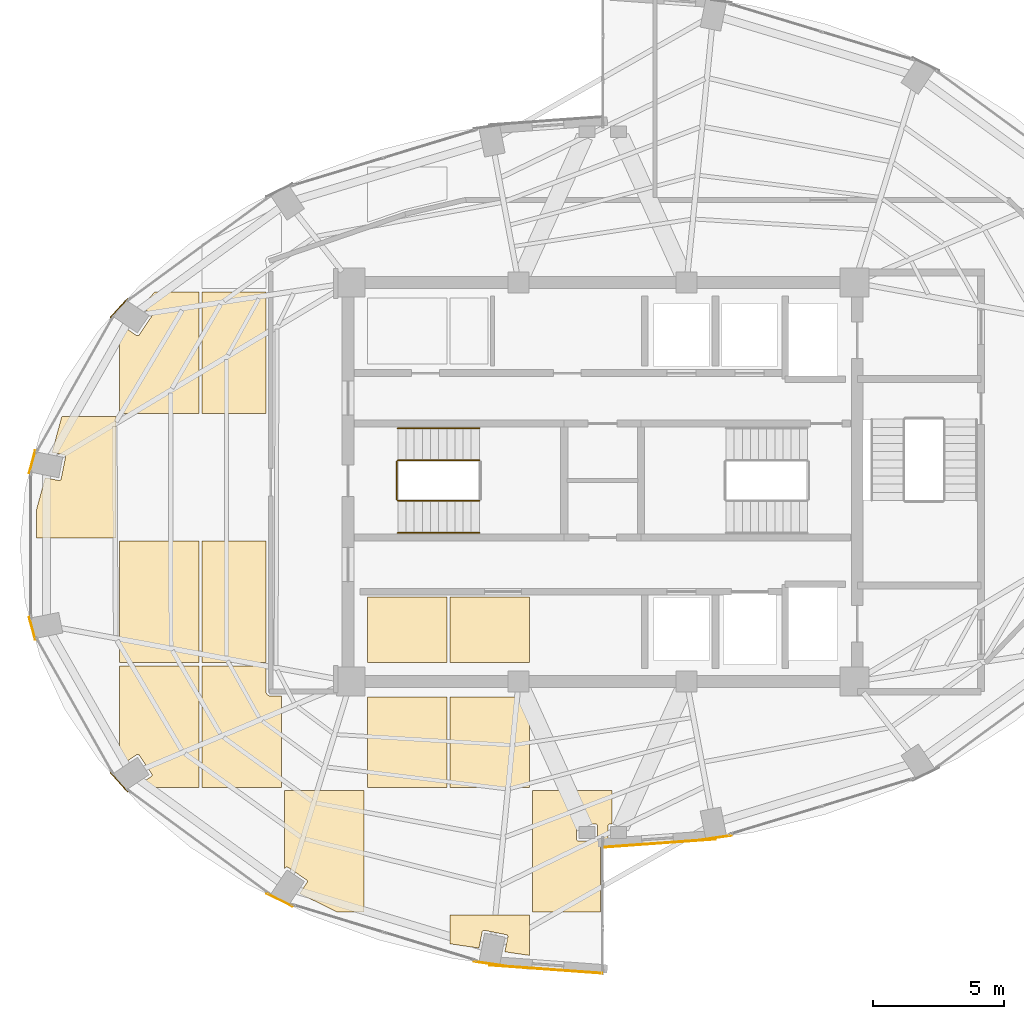
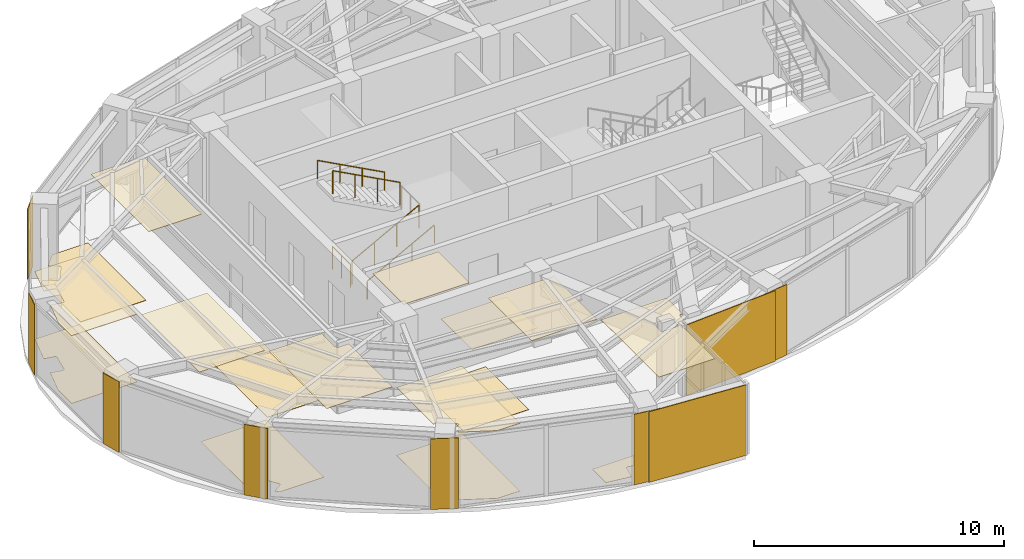
# One storey, part 21 of 22: 25 coverings, 5 railings.
"""IFC4 building model written with IfcOpenShell, lengths in metres."""

from ifc_helpers import new_model, si_unit, direction, frame, origin, origin_2d, place, context, subcontext, project, spatial, polyline, rectangle, circle, outline, extrude, material, layer, layer_set, type_object, element, save


model = new_model("IFC4")

# Units and contexts
model_context = context("Model", 3, precision=1e-05, world=origin(), true_north=direction((0.0, 1.0)))
body_context = subcontext(model_context, "Body", "Model", "MODEL_VIEW")
ifc_project = project(units=[si_unit("LENGTHUNIT", "METRE"), si_unit("AREAUNIT", "SQUARE_METRE"), si_unit("VOLUMEUNIT", "CUBIC_METRE"), si_unit("PLANEANGLEUNIT", "RADIAN"), si_unit("MASSUNIT", "GRAM", prefix="KILO")], contexts=[model_context])

# Site, building, storey
site_placement = place(None, origin())
site = spatial("IfcSite", under=ifc_project, at=site_placement, CompositionType="ELEMENT")
building_placement = place(site_placement, origin())
building = spatial("IfcBuilding", under=site, at=building_placement, Name="Lazwardi Medical Tower", CompositionType="ELEMENT")
storey_placement = place(building_placement, frame((0.0, 0.0, 251.3759765625)))
storey = spatial("IfcBuildingStorey", under=building, at=storey_placement, Name="L65", CompositionType="ELEMENT", Elevation=251.3759765625)

# Coverings
ifc_material_1 = material(Name="Anodised bronze aluminium cassette cladding", Category="aluminium")
ifc_layer_1 = layer(ifc_material_1, 0.030029296875)
ifc_layer_set_1 = layer_set([ifc_layer_1], Name="Anodised bronze aluminium cassette cladding")
covering_type_1 = type_object("IfcCoveringType", Name="COV-CLD-BRZ", PredefinedType="CLADDING", material=ifc_layer_set_1)
covering_1_placement = place(storey_placement, frame((40.3232421875, 14.450439453125, 0.0), z_axis=(0.0, 0.0, 1.0), x_axis=(0.989512431533, 0.144447733943, 0.0)))
element("IfcCovering", 1, at=covering_1_placement, inside=storey, type_object=covering_type_1, Name="L65 Mega-column bronze cassette cover M01", PredefinedType="CLADDING", context=body_context, shape_type="SweptSolid", body=[
    extrude(rectangle(XDim=1.188720703125, YDim=0.030029296875, at=origin_2d()), origin(), (0.0, 0.0, 1.0), 3.447998046875),
])
covering_2_placement = place(storey_placement, frame((17.57470703125, 34.634765625, 0.0), z_axis=(0.0, 0.0, 1.0), x_axis=(-0.673240970654, -0.739423150458, 0.0)))
element("IfcCovering", 2, at=covering_2_placement, inside=storey, type_object=covering_type_1, Name="L65 Mega-column bronze cassette cover M11", PredefinedType="CLADDING", context=body_context, shape_type="SweptSolid", body=[
    extrude(rectangle(XDim=0.98974609375, YDim=0.030029296875, at=origin_2d()), origin(), (0.0, 0.0, 1.0), 3.447998046875),
])
for number, where, z_axis, x_axis, name in (
    (3, (14.265869140625, 28.772705078125, 0.0), (0.0, 0.0, 1.0), (-0.261641748247, -0.96516506131, 0.0), "L65 Mega-column bronze cassette cover M12"),
    (4, (14.265869140625, 22.427490234375, 0.0), (0.0, 0.0, 1.0), (0.261641748247, -0.96516506131, 0.0), "L65 Mega-column bronze cassette cover M13"),
):
    element("IfcCovering", number, at=place(storey_placement, frame(where, z_axis=z_axis, x_axis=x_axis)), inside=storey, type_object=covering_type_1, Name=name, PredefinedType="CLADDING", context=body_context, shape_type="SweptSolid", body=[
        extrude(rectangle(XDim=0.894287109375, YDim=0.030029296875, at=origin_2d()), origin(), (0.0, 0.0, 1.0), 3.447998046875),
    ])
covering_3_placement = place(storey_placement, frame((17.57470703125, 16.565185546875, 0.0), z_axis=(0.0, 0.0, 1.0), x_axis=(0.673240970654, -0.739423150458, 0.0)))
element("IfcCovering", 5, at=covering_3_placement, inside=storey, type_object=covering_type_1, Name="L65 Mega-column bronze cassette cover M14", PredefinedType="CLADDING", context=body_context, shape_type="SweptSolid", body=[
    extrude(rectangle(XDim=0.98974609375, YDim=0.030029296875, at=origin_2d()), origin(), (0.0, 0.0, 1.0), 3.447998046875),
])
covering_4_placement = place(storey_placement, frame((23.688720703125, 12.07861328125, 0.0), z_axis=(0.0, 0.0, 1.0), x_axis=(0.897840141691, -0.440321564278, 0.0)))
element("IfcCovering", 6, at=covering_4_placement, inside=storey, type_object=covering_type_1, Name="L65 Mega-column bronze cassette cover M15", PredefinedType="CLADDING", context=body_context, shape_type="SweptSolid", body=[
    extrude(rectangle(XDim=1.110595703125, YDim=0.030029296875, at=origin_2d()), origin(), (0.0, 0.0, 1.0), 3.447998046875),
])
covering_5_placement = place(storey_placement, frame((31.6767578125, 9.650390625, 0.0), z_axis=(0.0, 0.0, 1.0), x_axis=(0.989512431533, -0.144447733943, 0.0)))
element("IfcCovering", 7, at=covering_5_placement, inside=storey, type_object=covering_type_1, Name="L65 Mega-column bronze cassette cover M16", PredefinedType="CLADDING", context=body_context, shape_type="SweptSolid", body=[
    extrude(rectangle(XDim=1.188720703125, YDim=0.030029296875, at=origin_2d()), origin(), (0.0, 0.0, 1.0), 3.447998046875),
])
ifc_material_2 = material(Name="Turquoise glazed ceramic tilework cladding", Category="masonry")
ifc_layer_2 = layer(ifc_material_2, 0.034912109375)
ifc_layer_set_2 = layer_set([ifc_layer_2], Name="Turquoise glazed ceramic tilework cladding")
covering_type_2 = type_object("IfcCoveringType", Name="COV-CLD-TRQ", PredefinedType="CLADDING", material=ifc_layer_set_2)
covering_6_placement = place(storey_placement, frame((38.16259765625, 14.239990234375, 0.0), z_axis=(0.0, 0.0, 1.0), x_axis=(0.997409491337, 0.071932653157, 0.0)))
element("IfcCovering", 8, at=covering_6_placement, inside=storey, type_object=covering_type_2, Name="L65 Turquoise glazed ceramic tilework cladding", PredefinedType="CLADDING", context=body_context, shape_type="SweptSolid", body=[
    extrude(rectangle(XDim=4.31103515625, YDim=0.034912109375, at=origin_2d()), origin(), (0.0, 0.0, 1.0), 3.447998046875),
])
covering_7_placement = place(storey_placement, frame((33.83740234375, 9.43994140625, 0.0), z_axis=(0.0, 0.0, 1.0), x_axis=(0.997408989128, -0.071939616387, 0.0)))
element("IfcCovering", 9, at=covering_7_placement, inside=storey, type_object=covering_type_2, Name="L65 Turquoise glazed ceramic tilework cladding", PredefinedType="CLADDING", context=body_context, shape_type="SweptSolid", body=[
    extrude(rectangle(XDim=4.310546875, YDim=0.034912109375, at=origin_2d()), origin(), (0.0, 0.0, 1.0), 3.447998046875),
])
ifc_material_3 = material(Name="Acoustic mineral fibre tile")
ifc_layer_3 = layer(ifc_material_3, 0.02490234375)
ifc_layer_set_3 = layer_set([ifc_layer_3], Name="Acoustic mineral fibre tile")
covering_type_3 = type_object("IfcCoveringType", Name="COV-CLG-01", PredefinedType="CEILING", material=ifc_layer_set_3)
covering_8_placement = place(storey_placement, frame((0.0, 0.0, 3.302978515625)))
element("IfcCovering", 10, at=covering_8_placement, inside=storey, type_object=covering_type_3, Name="L65 Clinical Acoustic Ceiling 1", PredefinedType="CEILING", context=body_context, shape_type="SweptSolid", body=[
    extrude(outline(polyline([(15.39501953125, 30.50244140625), (15.0224609375, 29.13134765625), (15.4716796875, 29.0419921875), (15.479248046875, 29.040283203125), (15.486572265625, 29.03759765625), (15.49365234375, 29.0341796875), (15.50048828125, 29.030029296875), (15.5068359375, 29.025390625), (15.5126953125, 29.020263671875), (15.517822265625, 29.014404296875), (15.5224609375, 29.008056640625), (15.526611328125, 29.001220703125), (15.52978515625, 28.994140625), (15.53271484375, 28.98681640625), (15.534423828125, 28.979248046875), (15.53564453125, 28.971435546875), (15.535888671875, 28.963623046875), (15.53564453125, 28.955810546875), (15.534423828125, 28.947998046875), (15.37060546875, 28.124267578125), (15.36865234375, 28.11669921875), (15.365966796875, 28.109130859375), (15.36279296875, 28.10205078125), (15.358642578125, 28.095458984375), (15.35400390625, 28.089111328125), (15.3486328125, 28.083251953125), (15.343017578125, 28.077880859375), (15.33642578125, 28.0732421875), (15.329833984375, 28.069091796875), (15.32275390625, 28.06591796875), (15.315185546875, 28.063232421875), (15.3076171875, 28.061279296875), (15.2998046875, 28.060302734375), (15.2919921875, 28.059814453125), (15.2841796875, 28.060302734375), (15.276611328125, 28.061279296875), (14.759521484375, 28.1640625), (14.432861328125, 26.961669921875), (14.432861328125, 25.87255859375), (17.462890625, 25.87255859375), (17.462890625, 30.50244140625), (15.39501953125, 30.50244140625)])), origin(), (0.0, 0.0, 1.0), 0.025146484375),
])
covering_9_placement = place(storey_placement, frame((0.0, 0.0, 3.302978515625)))
element("IfcCovering", 11, at=covering_9_placement, inside=storey, type_object=covering_type_3, Name="L65 Clinical Acoustic Ceiling 2", PredefinedType="CEILING", context=body_context, shape_type="SweptSolid", body=[
    extrude(outline(polyline([(20.61279296875, 21.12255859375), (20.61279296875, 25.75244140625), (17.5830078125, 25.75244140625), (17.5830078125, 21.12255859375), (20.61279296875, 21.12255859375)])), origin(), (0.0, 0.0, 1.0), 0.025146484375),
])
covering_10_placement = place(storey_placement, frame((0.0, 0.0, 3.302978515625)))
element("IfcCovering", 12, at=covering_10_placement, inside=storey, type_object=covering_type_3, Name="L65 Clinical Acoustic Ceiling 3", PredefinedType="CEILING", context=body_context, shape_type="SweptSolid", body=[
    extrude(outline(polyline([(23.762939453125, 19.844970703125), (23.35009765625, 19.844970703125), (23.345703125, 19.84521484375), (23.33642578125, 19.845703125), (23.32958984375, 19.84619140625), (23.3203125, 19.84765625), (23.31201171875, 19.84912109375), (23.302734375, 19.8515625), (23.2958984375, 19.853515625), (23.287109375, 19.856689453125), (23.279296875, 19.860107421875), (23.270751953125, 19.864013671875), (23.263916015625, 19.86767578125), (23.256103515625, 19.872314453125), (23.249267578125, 19.876953125), (23.24169921875, 19.882568359375), (23.236083984375, 19.88720703125), (23.229248046875, 19.893310546875), (23.223388671875, 19.8994140625), (23.217041015625, 19.90625), (23.21240234375, 19.911865234375), (23.206787109375, 19.919189453125), (23.202392578125, 19.926025390625), (23.197509765625, 19.93408203125), (23.194091796875, 19.94091796875), (23.18994140625, 19.94921875), (23.186767578125, 19.95703125), (23.18359375, 19.9658203125), (23.181396484375, 19.972900390625), (23.17919921875, 19.98193359375), (23.177490234375, 19.990234375), (23.17626953125, 19.99951171875), (23.175537109375, 20.00634765625), (23.175048828125, 20.015625), (23.175048828125, 20.02001953125), (23.175048828125, 21.00244140625), (20.73291015625, 21.00244140625), (20.73291015625, 16.37255859375), (23.762939453125, 16.37255859375), (23.762939453125, 19.844970703125)])), origin(), (0.0, 0.0, 1.0), 0.025146484375),
])
covering_11_placement = place(storey_placement, frame((0.0, 0.0, 3.302978515625)))
element("IfcCovering", 13, at=covering_11_placement, inside=storey, type_object=covering_type_3, Name="L65 Clinical Acoustic Ceiling 4", PredefinedType="CEILING", context=body_context, shape_type="SweptSolid", body=[
    extrude(outline(polyline([(23.175048828125, 30.62255859375), (23.175048828125, 35.25244140625), (20.73291015625, 35.25244140625), (20.73291015625, 30.62255859375), (23.175048828125, 30.62255859375)])), origin(), (0.0, 0.0, 1.0), 0.025146484375),
])
covering_12_placement = place(storey_placement, frame((0.0, 0.0, 3.302978515625)))
element("IfcCovering", 14, at=covering_12_placement, inside=storey, type_object=covering_type_3, Name="L65 Clinical Acoustic Ceiling 5", PredefinedType="CEILING", context=body_context, shape_type="SweptSolid", body=[
    extrude(outline(polyline([(23.8828125, 13.27099609375), (23.900634765625, 13.297607421875), (23.905517578125, 13.303955078125), (23.91064453125, 13.309814453125), (23.91650390625, 13.31494140625), (23.9228515625, 13.319580078125), (23.929443359375, 13.32373046875), (23.9365234375, 13.3271484375), (23.944091796875, 13.329833984375), (23.95166015625, 13.331787109375), (23.95947265625, 13.332763671875), (23.96728515625, 13.333251953125), (23.97509765625, 13.332763671875), (23.98291015625, 13.331787109375), (23.990478515625, 13.329833984375), (23.997802734375, 13.3271484375), (24.0048828125, 13.32373046875), (24.01171875, 13.319580078125), (24.7099609375, 12.85302734375), (24.71630859375, 12.848388671875), (24.72216796875, 12.843017578125), (24.727294921875, 12.83740234375), (24.732177734375, 12.830810546875), (24.736083984375, 12.82421875), (24.739501953125, 12.817138671875), (24.7421875, 12.809814453125), (24.744140625, 12.802001953125), (24.7451171875, 12.794189453125), (24.74560546875, 12.78662109375), (24.7451171875, 12.77880859375), (24.744140625, 12.77099609375), (24.7421875, 12.76318359375), (24.739501953125, 12.755859375), (24.736083984375, 12.748779296875), (24.732177734375, 12.7421875), (24.4521484375, 12.322998046875), (25.8837890625, 11.62255859375), (26.912841796875, 11.62255859375), (26.912841796875, 16.25244140625), (23.8828125, 16.25244140625), (23.8828125, 13.27099609375)])), origin(), (0.0, 0.0, 1.0), 0.025146484375),
])
covering_13_placement = place(storey_placement, frame((0.0, 0.0, 3.302978515625)))
element("IfcCovering", 15, at=covering_13_placement, inside=storey, type_object=covering_type_3, Name="L65 Clinical Acoustic Ceiling 6", PredefinedType="CEILING", context=body_context, shape_type="SweptSolid", body=[
    extrude(outline(polyline([(30.06298828125, 23.6201171875), (27.032958984375, 23.6201171875), (27.032958984375, 21.12255859375), (30.06298828125, 21.12255859375), (30.06298828125, 23.6201171875)])), origin(), (0.0, 0.0, 1.0), 0.025146484375),
])
covering_14_placement = place(storey_placement, frame((0.0, 0.0, 3.302978515625)))
element("IfcCovering", 16, at=covering_14_placement, inside=storey, type_object=covering_type_3, Name="L65 Clinical Acoustic Ceiling 8", PredefinedType="CEILING", context=body_context, shape_type="SweptSolid", body=[
    extrude(outline(polyline([(33.212890625, 19.820068359375), (30.182861328125, 19.820068359375), (30.182861328125, 16.37255859375), (33.212890625, 16.37255859375), (33.212890625, 19.820068359375)])), origin(), (0.0, 0.0, 1.0), 0.025146484375),
])
covering_15_placement = place(storey_placement, frame((0.0, 0.0, 3.302978515625)))
element("IfcCovering", 17, at=covering_15_placement, inside=storey, type_object=covering_type_3, Name="L65 Clinical Acoustic Ceiling 10", PredefinedType="CEILING", context=body_context, shape_type="SweptSolid", body=[
    extrude(outline(polyline([(35.919921875, 11.62255859375), (35.919921875, 14.280029296875), (35.92041015625, 14.28759765625), (35.92138671875, 14.295166015625), (35.923095703125, 14.302490234375), (35.92578125, 14.309814453125), (35.928955078125, 14.316650390625), (35.9326171875, 14.3232421875), (35.93701171875, 14.329345703125), (35.94189453125, 14.335205078125), (35.947509765625, 14.34033203125), (35.95361328125, 14.34521484375), (35.9599609375, 14.34912109375), (35.966796875, 14.352783203125), (35.9736328125, 14.355712890625), (35.98095703125, 14.357666015625), (35.988525390625, 14.359130859375), (36.201416015625, 14.39013671875), (36.200439453125, 14.397216796875), (36.199951171875, 14.405029296875), (36.199951171875, 14.89501953125), (36.200439453125, 14.90283203125), (36.201416015625, 14.91064453125), (36.203369140625, 14.918212890625), (36.2060546875, 14.925537109375), (36.20947265625, 14.9326171875), (36.21337890625, 14.939453125), (36.21826171875, 14.94580078125), (36.223388671875, 14.95166015625), (36.229248046875, 14.956787109375), (36.235595703125, 14.96142578125), (36.2421875, 14.965576171875), (36.24951171875, 14.968994140625), (36.2568359375, 14.9716796875), (36.264404296875, 14.973388671875), (36.272216796875, 14.974609375), (36.280029296875, 14.97509765625), (36.36279296875, 14.97509765625), (36.36279296875, 16.25244140625), (33.3330078125, 16.25244140625), (33.3330078125, 11.62255859375), (35.919921875, 11.62255859375)]), holes=[polyline([(35.735595703125, 14.326416015625), (35.727783203125, 14.325439453125), (35.719970703125, 14.324951171875), (35.080078125, 14.324951171875), (35.072265625, 14.325439453125), (35.064453125, 14.326416015625), (35.056884765625, 14.328369140625), (35.04931640625, 14.3310546875), (35.042236328125, 14.33447265625), (35.03564453125, 14.33837890625), (35.029296875, 14.34326171875), (35.0234375, 14.348388671875), (35.018310546875, 14.354248046875), (35.013427734375, 14.360595703125), (35.009521484375, 14.3671875), (35.006103515625, 14.37451171875), (35.00341796875, 14.3818359375), (35.00146484375, 14.389404296875), (35.00048828125, 14.397216796875), (35.0, 14.405029296875), (35.0, 14.89501953125), (35.00048828125, 14.90283203125), (35.00146484375, 14.91064453125), (35.00341796875, 14.918212890625), (35.006103515625, 14.925537109375), (35.009521484375, 14.9326171875), (35.013427734375, 14.939453125), (35.018310546875, 14.94580078125), (35.0234375, 14.95166015625), (35.029296875, 14.956787109375), (35.03564453125, 14.96142578125), (35.042236328125, 14.965576171875), (35.04931640625, 14.968994140625), (35.056884765625, 14.9716796875), (35.064453125, 14.973388671875), (35.072265625, 14.974609375), (35.080078125, 14.97509765625), (35.719970703125, 14.97509765625), (35.727783203125, 14.974609375), (35.735595703125, 14.973388671875), (35.7431640625, 14.9716796875), (35.75048828125, 14.968994140625), (35.7578125, 14.965576171875), (35.764404296875, 14.96142578125), (35.770751953125, 14.956787109375), (35.776611328125, 14.95166015625), (35.78173828125, 14.94580078125), (35.78662109375, 14.939453125), (35.79052734375, 14.9326171875), (35.7939453125, 14.925537109375), (35.796630859375, 14.918212890625), (35.798583984375, 14.91064453125), (35.799560546875, 14.90283203125), (35.800048828125, 14.89501953125), (35.800048828125, 14.405029296875), (35.799560546875, 14.397216796875), (35.798583984375, 14.389404296875), (35.796630859375, 14.3818359375), (35.7939453125, 14.37451171875), (35.79052734375, 14.3671875), (35.78662109375, 14.360595703125), (35.78173828125, 14.354248046875), (35.776611328125, 14.348388671875), (35.770751953125, 14.34326171875), (35.764404296875, 14.33837890625), (35.7578125, 14.33447265625), (35.75048828125, 14.3310546875), (35.7431640625, 14.328369140625), (35.735595703125, 14.326416015625)])]), origin(), (0.0, 0.0, 1.0), 0.025146484375),
])
ifc_material_4 = material(Name="Anti-static hospital vinyl sheet flooring")
ifc_layer_4 = layer(ifc_material_4, 0.014892578125)
ifc_layer_set_4 = layer_set([ifc_layer_4], Name="Anti-static hospital vinyl sheet flooring")
covering_type_4 = type_object("IfcCoveringType", Name="COV-FLR-01", PredefinedType="FLOORING", material=ifc_layer_set_4)
covering_16_placement = place(storey_placement, origin())
element("IfcCovering", 18, at=covering_16_placement, inside=storey, type_object=covering_type_4, Name="L65 Clinical Vinyl Flooring 1", PredefinedType="FLOORING", context=body_context, shape_type="SweptSolid", body=[
    extrude(outline(polyline([(15.39501953125, 30.50244140625), (15.0224609375, 29.13134765625), (15.4716796875, 29.0419921875), (15.479248046875, 29.040283203125), (15.486572265625, 29.03759765625), (15.49365234375, 29.0341796875), (15.50048828125, 29.030029296875), (15.5068359375, 29.025390625), (15.5126953125, 29.020263671875), (15.517822265625, 29.014404296875), (15.5224609375, 29.008056640625), (15.526611328125, 29.001220703125), (15.52978515625, 28.994140625), (15.53271484375, 28.98681640625), (15.534423828125, 28.979248046875), (15.53564453125, 28.971435546875), (15.535888671875, 28.963623046875), (15.53564453125, 28.955810546875), (15.534423828125, 28.947998046875), (15.37060546875, 28.124267578125), (15.36865234375, 28.11669921875), (15.365966796875, 28.109130859375), (15.36279296875, 28.10205078125), (15.358642578125, 28.095458984375), (15.35400390625, 28.089111328125), (15.3486328125, 28.083251953125), (15.343017578125, 28.077880859375), (15.33642578125, 28.0732421875), (15.329833984375, 28.069091796875), (15.32275390625, 28.06591796875), (15.315185546875, 28.063232421875), (15.3076171875, 28.061279296875), (15.2998046875, 28.060302734375), (15.2919921875, 28.059814453125), (15.2841796875, 28.060302734375), (15.276611328125, 28.061279296875), (14.759521484375, 28.1640625), (14.432861328125, 26.961669921875), (14.432861328125, 25.87255859375), (17.462890625, 25.87255859375), (17.462890625, 30.50244140625), (15.39501953125, 30.50244140625)])), origin(), (0.0, 0.0, 1.0), 0.01513671875),
])
covering_17_placement = place(storey_placement, origin())
element("IfcCovering", 19, at=covering_17_placement, inside=storey, type_object=covering_type_4, Name="L65 Clinical Vinyl Flooring 2", PredefinedType="FLOORING", context=body_context, shape_type="SweptSolid", body=[
    extrude(outline(polyline([(17.5830078125, 17.43896484375), (17.7333984375, 17.273681640625), (18.236572265625, 17.60986328125), (18.2431640625, 17.614013671875), (18.250244140625, 17.6171875), (18.2578125, 17.6201171875), (18.265380859375, 17.621826171875), (18.273193359375, 17.623046875), (18.281005859375, 17.623291015625), (18.288818359375, 17.623046875), (18.29638671875, 17.621826171875), (18.30419921875, 17.6201171875), (18.3115234375, 17.6171875), (18.318603515625, 17.614013671875), (18.3251953125, 17.60986328125), (18.33154296875, 17.605224609375), (18.33740234375, 17.60009765625), (18.3427734375, 17.59423828125), (18.347412109375, 17.587890625), (18.814208984375, 16.889404296875), (18.818115234375, 16.8828125), (18.821533203125, 16.87548828125), (18.82421875, 16.8681640625), (18.826171875, 16.860595703125), (18.8271484375, 16.852783203125), (18.82763671875, 16.844970703125), (18.8271484375, 16.837158203125), (18.826171875, 16.829345703125), (18.82421875, 16.82177734375), (18.821533203125, 16.814453125), (18.818115234375, 16.807373046875), (18.814208984375, 16.800537109375), (18.809326171875, 16.794189453125), (18.80419921875, 16.788330078125), (18.79833984375, 16.783203125), (18.7919921875, 16.778564453125), (18.415283203125, 16.52685546875), (18.55615234375, 16.37255859375), (20.61279296875, 16.37255859375), (20.61279296875, 21.00244140625), (17.5830078125, 21.00244140625), (17.5830078125, 17.43896484375)])), origin(), (0.0, 0.0, 1.0), 0.01513671875),
])
covering_18_placement = place(storey_placement, origin())
element("IfcCovering", 20, at=covering_18_placement, inside=storey, type_object=covering_type_4, Name="L65 Clinical Vinyl Flooring 3", PredefinedType="FLOORING", context=body_context, shape_type="SweptSolid", body=[
    extrude(outline(polyline([(18.944091796875, 35.25244140625), (18.415283203125, 34.673095703125), (18.7919921875, 34.42138671875), (18.79833984375, 34.416748046875), (18.80419921875, 34.41162109375), (18.809326171875, 34.40576171875), (18.814208984375, 34.3994140625), (18.818115234375, 34.392578125), (18.821533203125, 34.385498046875), (18.82421875, 34.378173828125), (18.826171875, 34.37060546875), (18.8271484375, 34.36279296875), (18.82763671875, 34.35498046875), (18.8271484375, 34.34716796875), (18.826171875, 34.33935546875), (18.82421875, 34.331787109375), (18.821533203125, 34.324462890625), (18.818115234375, 34.3173828125), (18.814208984375, 34.310546875), (18.347412109375, 33.6123046875), (18.3427734375, 33.605712890625), (18.33740234375, 33.60009765625), (18.33154296875, 33.5947265625), (18.3251953125, 33.590087890625), (18.318603515625, 33.5859375), (18.3115234375, 33.582763671875), (18.30419921875, 33.580078125), (18.29638671875, 33.578125), (18.288818359375, 33.576904296875), (18.281005859375, 33.57666015625), (18.273193359375, 33.576904296875), (18.265380859375, 33.578125), (18.2578125, 33.580078125), (18.250244140625, 33.582763671875), (18.2431640625, 33.5859375), (18.236572265625, 33.590087890625), (17.7333984375, 33.92626953125), (17.5830078125, 33.760986328125), (17.5830078125, 30.62255859375), (20.61279296875, 30.62255859375), (20.61279296875, 35.25244140625), (18.944091796875, 35.25244140625)])), origin(), (0.0, 0.0, 1.0), 0.01513671875),
])
covering_19_placement = place(storey_placement, origin())
element("IfcCovering", 21, at=covering_19_placement, inside=storey, type_object=covering_type_4, Name="L65 Clinical Vinyl Flooring 4", PredefinedType="FLOORING", context=body_context, shape_type="SweptSolid", body=[
    extrude(outline(polyline([(23.175048828125, 21.12255859375), (23.175048828125, 25.75244140625), (20.73291015625, 25.75244140625), (20.73291015625, 21.12255859375), (23.175048828125, 21.12255859375)])), origin(), (0.0, 0.0, 1.0), 0.01513671875),
])
covering_20_placement = place(storey_placement, origin())
element("IfcCovering", 22, at=covering_20_placement, inside=storey, type_object=covering_type_4, Name="L65 Clinical Vinyl Flooring 6", PredefinedType="FLOORING", context=body_context, shape_type="SweptSolid", body=[
    extrude(outline(polyline([(23.8828125, 13.27099609375), (23.900634765625, 13.297607421875), (23.905517578125, 13.303955078125), (23.91064453125, 13.309814453125), (23.91650390625, 13.31494140625), (23.9228515625, 13.319580078125), (23.929443359375, 13.32373046875), (23.9365234375, 13.3271484375), (23.944091796875, 13.329833984375), (23.95166015625, 13.331787109375), (23.95947265625, 13.332763671875), (23.96728515625, 13.333251953125), (23.97509765625, 13.332763671875), (23.98291015625, 13.331787109375), (23.990478515625, 13.329833984375), (23.997802734375, 13.3271484375), (24.0048828125, 13.32373046875), (24.01171875, 13.319580078125), (24.7099609375, 12.85302734375), (24.71630859375, 12.848388671875), (24.72216796875, 12.843017578125), (24.727294921875, 12.83740234375), (24.732177734375, 12.830810546875), (24.736083984375, 12.82421875), (24.739501953125, 12.817138671875), (24.7421875, 12.809814453125), (24.744140625, 12.802001953125), (24.7451171875, 12.794189453125), (24.74560546875, 12.78662109375), (24.7451171875, 12.77880859375), (24.744140625, 12.77099609375), (24.7421875, 12.76318359375), (24.739501953125, 12.755859375), (24.736083984375, 12.748779296875), (24.732177734375, 12.7421875), (24.4521484375, 12.322998046875), (25.8837890625, 11.62255859375), (26.912841796875, 11.62255859375), (26.912841796875, 16.25244140625), (23.8828125, 16.25244140625), (23.8828125, 13.27099609375)])), origin(), (0.0, 0.0, 1.0), 0.01513671875),
])
covering_21_placement = place(storey_placement, origin())
element("IfcCovering", 23, at=covering_21_placement, inside=storey, type_object=covering_type_4, Name="L65 Clinical Vinyl Flooring 7", PredefinedType="FLOORING", context=body_context, shape_type="SweptSolid", body=[
    extrude(outline(polyline([(30.06298828125, 19.820068359375), (27.04931640625, 19.820068359375), (27.048583984375, 19.814453125), (27.046630859375, 19.806884765625), (27.0439453125, 19.79931640625), (27.04052734375, 19.792236328125), (27.03662109375, 19.78564453125), (27.032958984375, 19.78076171875), (27.032958984375, 16.37255859375), (30.06298828125, 16.37255859375), (30.06298828125, 19.820068359375)])), origin(), (0.0, 0.0, 1.0), 0.01513671875),
])
covering_22_placement = place(storey_placement, origin())
element("IfcCovering", 24, at=covering_22_placement, inside=storey, type_object=covering_type_4, Name="L65 Clinical Vinyl Flooring 9", PredefinedType="FLOORING", context=body_context, shape_type="SweptSolid", body=[
    extrude(outline(polyline([(30.182861328125, 10.407958984375), (31.285400390625, 10.247314453125), (31.40673828125, 10.8583984375), (31.40869140625, 10.865966796875), (31.411376953125, 10.873291015625), (31.414794921875, 10.88037109375), (31.418701171875, 10.88720703125), (31.423583984375, 10.8935546875), (31.4287109375, 10.8994140625), (31.4345703125, 10.904541015625), (31.44091796875, 10.9091796875), (31.447509765625, 10.913330078125), (31.45458984375, 10.91650390625), (31.462158203125, 10.919189453125), (31.4697265625, 10.921142578125), (31.4775390625, 10.92236328125), (31.4853515625, 10.922607421875), (31.4931640625, 10.92236328125), (31.5009765625, 10.921142578125), (32.32470703125, 10.75732421875), (32.332275390625, 10.75537109375), (32.339599609375, 10.752685546875), (32.3466796875, 10.74951171875), (32.353515625, 10.745361328125), (32.35986328125, 10.740478515625), (32.36572265625, 10.7353515625), (32.370849609375, 10.7294921875), (32.37548828125, 10.72314453125), (32.379638671875, 10.716552734375), (32.383056640625, 10.70947265625), (32.3857421875, 10.701904296875), (32.3876953125, 10.6943359375), (32.388671875, 10.6865234375), (32.38916015625, 10.6787109375), (32.388671875, 10.6708984375), (32.3876953125, 10.6630859375), (32.276123046875, 10.10302734375), (33.212890625, 9.966796875), (33.212890625, 11.50244140625), (30.182861328125, 11.50244140625), (30.182861328125, 10.407958984375)])), origin(), (0.0, 0.0, 1.0), 0.01513671875),
])
covering_23_placement = place(storey_placement, origin())
element("IfcCovering", 25, at=covering_23_placement, inside=storey, type_object=covering_type_4, Name="L65 Clinical Vinyl Flooring 10", PredefinedType="FLOORING", context=body_context, shape_type="SweptSolid", body=[
    extrude(outline(polyline([(33.212890625, 23.6201171875), (30.182861328125, 23.6201171875), (30.182861328125, 21.12255859375), (33.212890625, 21.12255859375), (33.212890625, 23.6201171875)])), origin(), (0.0, 0.0, 1.0), 0.01513671875),
])

# Railings
ifc_material_5 = material(Name="Stainless steel Grade 316", Category="steel")
railing_type_1 = type_object("IfcRailingType", Name="RLG-GRD-1150", PredefinedType="GUARDRAIL", material=ifc_material_5)
railing_1_placement = place(storey_placement, frame((28.199951171875, 27.2900390625, 0.165771484375)))
element("IfcRailing", 26, at=railing_1_placement, inside=storey, type_object=railing_type_1, Name="L65 ST1 stair guard 1", PredefinedType="GUARDRAIL", context=body_context, shape_type="SweptSolid", body=[
    extrude(circle(Radius=0.02392578125, at=origin_2d()), frame((0.0, 0.0, 1.1259765625), z_axis=(0.881783298633, 0.0, 0.471654761719), x_axis=(0.0, 1.0, 0.0)), (0.0, 0.0, 1.0), 3.515625),
    extrude(circle(Radius=0.02099609375, at=origin_2d()), origin(), (0.0, 0.0, 1.0), 1.099853515625),
    extrude(circle(Radius=0.02099609375, at=origin_2d()), frame((1.033447265625, 0.0, 0.552734375)), (0.0, 0.0, 1.0), 1.099853515625),
    extrude(circle(Radius=0.02099609375, at=origin_2d()), frame((2.066650390625, 0.0, 1.10546875)), (0.0, 0.0, 1.0), 1.099853515625),
    extrude(circle(Radius=0.02099609375, at=origin_2d()), frame((3.10009765625, 0.0, 1.658203125)), (0.0, 0.0, 1.0), 1.099853515625),
])
railing_2_placement = place(storey_placement, frame((31.300048828125, 28.830078125, 1.98974609375)))
element("IfcRailing", 27, at=railing_2_placement, inside=storey, type_object=railing_type_1, Name="L65 ST1 stair guard 3", PredefinedType="GUARDRAIL", context=body_context, shape_type="SweptSolid", body=[
    extrude(circle(Radius=0.02392578125, at=origin_2d()), frame((0.0, 0.0, 1.1259765625), z_axis=(-0.881783298633, 0.0, 0.471654761719), x_axis=(0.0, -1.0, 0.0)), (0.0, 0.0, 1.0), 3.515625),
    extrude(circle(Radius=0.02099609375, at=origin_2d()), origin(), (0.0, 0.0, 1.0), 1.099853515625),
    extrude(circle(Radius=0.02099609375, at=origin_2d()), frame((-1.033447265625, 0.0, 0.552734375)), (0.0, 0.0, 1.0), 1.099853515625),
    extrude(circle(Radius=0.02099609375, at=origin_2d()), frame((-2.066650390625, 0.0, 1.10546875)), (0.0, 0.0, 1.0), 1.099853515625),
    extrude(circle(Radius=0.02099609375, at=origin_2d()), frame((-3.10009765625, 0.0, 1.658203125)), (0.0, 0.0, 1.0), 1.099853515625),
])
railing_3_placement = place(storey_placement, frame((28.14990234375, 27.340087890625, 0.0)))
element("IfcRailing", 28, at=railing_3_placement, inside=storey, type_object=railing_type_1, Name="L65 ST1 stair guard 4", PredefinedType="GUARDRAIL", context=body_context, shape_type="SweptSolid", body=[
    extrude(circle(Radius=0.02392578125, at=origin_2d()), frame((0.0, 0.0, 1.1259765625), z_axis=(0.0, 1.0, 0.0), x_axis=(-1.0, 0.0, 0.0)), (0.0, 0.0, 1.0), 1.43994140625),
    extrude(circle(Radius=0.02099609375, at=origin_2d()), origin(), (0.0, 0.0, 1.0), 1.099853515625),
    extrude(circle(Radius=0.02099609375, at=origin_2d()), frame((0.0, 0.719970703125, 0.0)), (0.0, 0.0, 1.0), 1.099853515625),
    extrude(circle(Radius=0.02099609375, at=origin_2d()), frame((0.0, 1.43994140625, 0.0)), (0.0, 0.0, 1.0), 1.099853515625),
])
railing_type_2 = type_object("IfcRailingType", Name="RLG-HND-920", PredefinedType="HANDRAIL", material=ifc_material_5)
railing_4_placement = place(storey_placement, frame((28.199951171875, 26.070068359375, 0.165771484375)))
element("IfcRailing", 29, at=railing_4_placement, inside=storey, type_object=railing_type_2, Name="L65 ST1 stair handrail 1", PredefinedType="HANDRAIL", context=body_context, shape_type="SweptSolid", body=[
    extrude(circle(Radius=0.02392578125, at=origin_2d()), frame((0.0, 0.0, 0.8857421875), z_axis=(0.881783298633, 0.0, 0.471654761719), x_axis=(0.0, 1.0, 0.0)), (0.0, 0.0, 1.0), 3.515625),
    extrude(circle(Radius=0.02099609375, at=origin_2d()), origin(), (0.0, 0.0, 1.0), 0.85986328125),
    extrude(circle(Radius=0.02099609375, at=origin_2d()), frame((1.033447265625, 0.0, 0.552734375)), (0.0, 0.0, 1.0), 0.85986328125),
    extrude(circle(Radius=0.02099609375, at=origin_2d()), frame((2.066650390625, 0.0, 1.10546875)), (0.0, 0.0, 1.0), 0.85986328125),
    extrude(circle(Radius=0.02099609375, at=origin_2d()), frame((3.10009765625, 0.0, 1.658203125)), (0.0, 0.0, 1.0), 0.85986328125),
])
railing_5_placement = place(storey_placement, frame((31.300048828125, 30.050048828125, 1.98974609375)))
element("IfcRailing", 30, at=railing_5_placement, inside=storey, type_object=railing_type_2, Name="L65 ST1 stair handrail 2", PredefinedType="HANDRAIL", context=body_context, shape_type="SweptSolid", body=[
    extrude(circle(Radius=0.02392578125, at=origin_2d()), frame((0.0, 0.0, 0.8857421875), z_axis=(-0.881783298633, 0.0, 0.471654761719), x_axis=(0.0, -1.0, 0.0)), (0.0, 0.0, 1.0), 3.515625),
    extrude(circle(Radius=0.02099609375, at=origin_2d()), origin(), (0.0, 0.0, 1.0), 0.85986328125),
    extrude(circle(Radius=0.02099609375, at=origin_2d()), frame((-1.033447265625, 0.0, 0.552734375)), (0.0, 0.0, 1.0), 0.85986328125),
    extrude(circle(Radius=0.02099609375, at=origin_2d()), frame((-2.066650390625, 0.0, 1.10546875)), (0.0, 0.0, 1.0), 0.85986328125),
    extrude(circle(Radius=0.02099609375, at=origin_2d()), frame((-3.10009765625, 0.0, 1.658203125)), (0.0, 0.0, 1.0), 0.85986328125),
])

save(model, "model.ifc")
